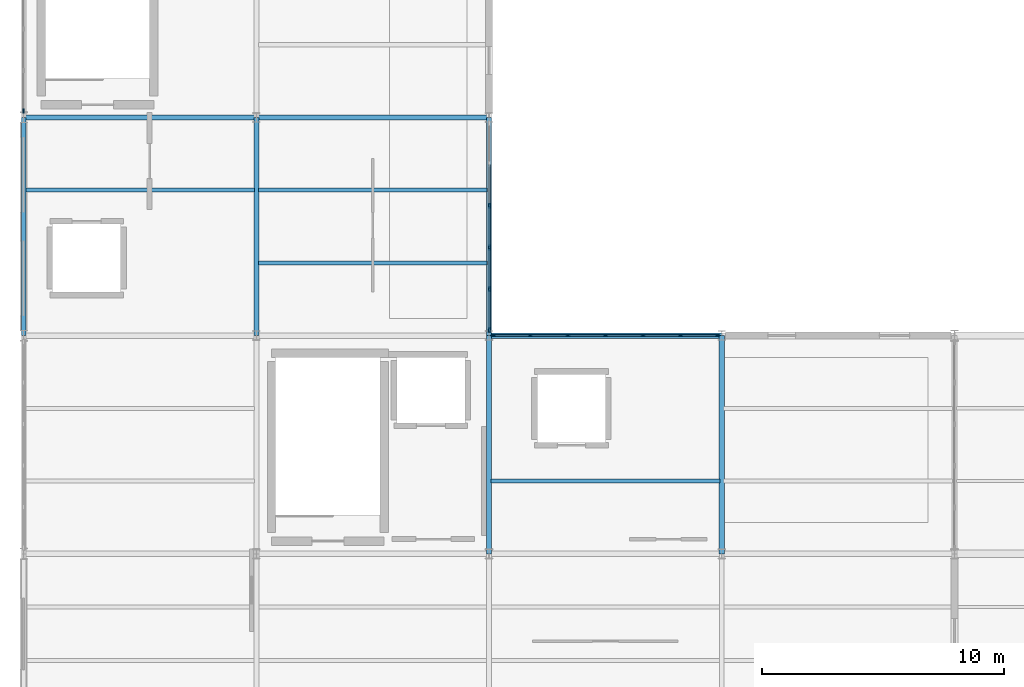
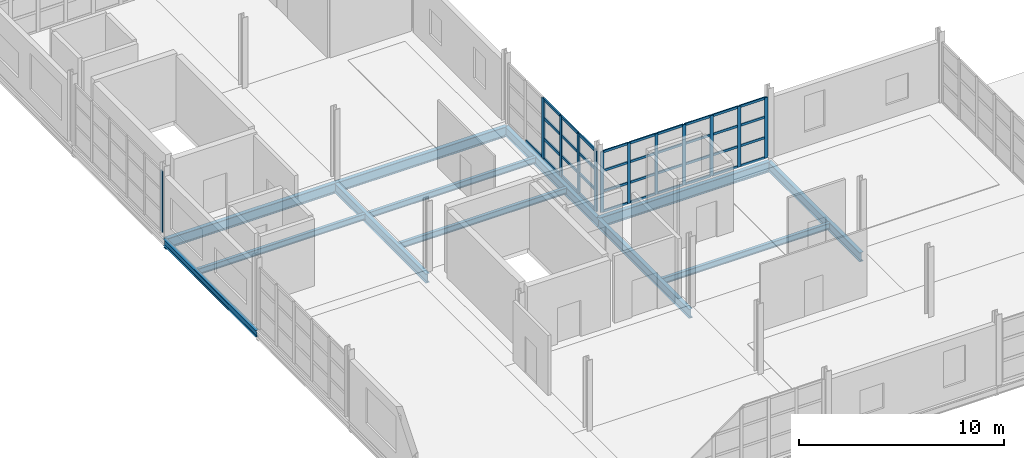
# One storey, part 5 of 15: 49 members, 12 beams, 3 elements without a shape of their own.
"""IFC4 building model written with IfcOpenShell, lengths in metres."""

from ifc_helpers import new_model, si_unit, direction, frame, origin, origin_2d, place, context, subcontext, project, spatial, rectangle, i_section, extrude, material, layer, layer_set, material_profile, profile_set, type_object, element, aggregate, save


model = new_model("IFC4")

# Units and contexts
model_context = context("Model", 3, precision=1e-05, world=origin(), true_north=direction((0.0, 1.0)))
body_context = subcontext(model_context, "Body", "Model", "MODEL_VIEW")
ifc_project = project(units=[si_unit("LENGTHUNIT", "METRE"), si_unit("AREAUNIT", "SQUARE_METRE"), si_unit("VOLUMEUNIT", "CUBIC_METRE"), si_unit("PLANEANGLEUNIT", "RADIAN"), si_unit("MASSUNIT", "GRAM", prefix="KILO")], contexts=[model_context])

# Site, building, storey
site_placement = place(None, origin())
site = spatial("IfcSite", under=ifc_project, at=site_placement, CompositionType="ELEMENT")
building_placement = place(site_placement, origin())
building = spatial("IfcBuilding", under=site, at=building_placement, Name="Zarnetskaya Central Station", CompositionType="ELEMENT")
storey_placement = place(building_placement, frame((0.0, 0.0, 22.800048828125)))
storey = spatial("IfcBuildingStorey", under=building, at=storey_placement, Name="L05", CompositionType="ELEMENT", Elevation=22.800048828125)

# Beams
ifc_material_1 = material(Name="Steel S355", Category="steel")
ifc_material_profile_1 = material_profile(ifc_material_1, i_section(OverallWidth=0.169921875, OverallDepth=0.360107421875, WebThickness=0.008056640625, FlangeThickness=0.0126953125, FilletRadius=0.01806640625, at=origin_2d()), Name="IPE 360")
ifc_profile_set_1 = profile_set([ifc_material_profile_1], Name="Steel S355")
beam_type_1 = type_object("IfcBeamType", Name="BM-SEC-360", PredefinedType="BEAM", material=ifc_profile_set_1)
beam_1_placement = place(storey_placement, frame((0.080078125, 28.199951171875, -0.420166015625), z_axis=(1.0, 0.0, 0.0), x_axis=(0.0, 1.0, 0.0)))
element("IfcBeam", 1, at=beam_1_placement, inside=storey, type_object=beam_type_1, Name="Secondary floor beam SEC-L05-Z2256-AB-45-2", PredefinedType="BEAM", context=body_context, shape_type="SweptSolid", body=[
    extrude(i_section(OverallWidth=0.169921875, OverallDepth=0.360107421875, WebThickness=0.008056640625, FlangeThickness=0.0126953125, FilletRadius=0.01806640625, at=origin_2d()), origin(), (0.0, 0.0, 1.0), 9.43994140625),
])
for number, where, z_axis, x_axis, name in (
    (2, (9.679931640625, 25.199951171875, -0.420166015625), (1.0, 0.0, 0.0), (0.0, 1.0, 0.0), "Secondary floor beam SEC-L05-Z2256-BC-45-1"),
    (3, (9.679931640625, 28.199951171875, -0.420166015625), (1.0, 0.0, 0.0), (0.0, 1.0, 0.0), "Secondary floor beam SEC-L05-Z2256-BC-45-2"),
):
    element("IfcBeam", number, at=place(storey_placement, frame(where, z_axis=z_axis, x_axis=x_axis)), inside=storey, type_object=beam_type_1, Name=name, PredefinedType="BEAM", context=body_context, shape_type="SweptSolid", body=[
        extrude(i_section(OverallWidth=0.169921875, OverallDepth=0.360107421875, WebThickness=0.008056640625, FlangeThickness=0.0126953125, FilletRadius=0.01806640625, at=origin_2d()), origin(), (0.0, 0.0, 1.0), 9.440185546875),
    ])
beam_2_placement = place(storey_placement, frame((19.280029296875, 16.199951171875, -0.420166015625), z_axis=(1.0, 0.0, 0.0), x_axis=(0.0, 1.0, 0.0)))
element("IfcBeam", 4, at=beam_2_placement, inside=storey, type_object=beam_type_1, Name="Secondary floor beam SEC-L05-Z2256-CD-34-1", PredefinedType="BEAM", context=body_context, shape_type="SweptSolid", body=[
    extrude(i_section(OverallWidth=0.169921875, OverallDepth=0.360107421875, WebThickness=0.008056640625, FlangeThickness=0.0126953125, FilletRadius=0.01806640625, at=origin_2d()), origin(), (0.0, 0.0, 1.0), 9.43994140625),
])
ifc_material_profile_2 = material_profile(ifc_material_1, i_section(OverallWidth=0.179931640625, OverallDepth=0.39990234375, WebThickness=0.008544921875, FlangeThickness=0.013427734375, FilletRadius=0.02099609375, at=origin_2d()), Name="IPE 400")
ifc_profile_set_2 = profile_set([ifc_material_profile_2], Name="Steel S355")
beam_type_2 = type_object("IfcBeamType", Name="BM-SPN-V5", PredefinedType="SPANDREL", material=ifc_profile_set_2)
beam_3_placement = place(storey_placement, frame((0.0, 22.199951171875, -0.43994140625), z_axis=(0.0, 1.0, 0.0), x_axis=(-1.0, 0.0, 0.0)))
element("IfcBeam", 5, at=beam_3_placement, inside=storey, type_object=beam_type_2, Name="Grid girder GY-L05-A-45", PredefinedType="SPANDREL", context=body_context, shape_type="SweptSolid", body=[
    extrude(i_section(OverallWidth=0.179931640625, OverallDepth=0.39990234375, WebThickness=0.008544921875, FlangeThickness=0.013427734375, FilletRadius=0.02099609375, at=origin_2d()), origin(), (0.0, 0.0, 1.0), 9.0),
])

# Curtain wall, member
ifc_material_2 = material(Name="Low-E insulated glass", Category="glass")
ifc_layer_1 = layer(ifc_material_2, 0.159912109375, Name="Low-E insulated glass", Category="glass")
ifc_layer_set_1 = layer_set([ifc_layer_1], Name="Low-E insulated glass")
curtain_wall_type_1 = type_object("IfcCurtainWallType", Name="CW-SYS-11", PredefinedType="USERDEFINED", material=ifc_layer_set_1)
curtain_wall_1_placement = place(storey_placement, origin())
curtain_wall_1 = element("IfcCurtainWall", 6, at=curtain_wall_1_placement, inside=storey, type_object=curtain_wall_type_1, Name="Curtain wall CW-L05-065", ObjectType="CURTAIN WALL", PredefinedType="USERDEFINED")
ifc_material_3 = material(Name="Anodised aluminium", Category="aluminium")
ifc_material_profile_3 = material_profile(ifc_material_3, rectangle(XDim=0.070068359375, YDim=0.179931640625, at=origin_2d()), Name="ALU MULL 70x180")
ifc_profile_set_3 = profile_set([ifc_material_profile_3], Name="Anodised aluminium")
member_type_1 = type_object("IfcMemberType", Name="CW-MULL-180", PredefinedType="MULLION", material=ifc_profile_set_3)
member_1_placement = place(storey_placement, frame((0.0, 31.4599609375, 0.0), z_axis=(0.0, 0.0, 1.0), x_axis=(-1.0, 0.0, 0.0)))
member_1 = element("IfcMember", 7, at=member_1_placement, type_object=member_type_1, Name="CW-09 mullion 1", PredefinedType="MULLION", context=body_context, shape_type="SweptSolid", body=[
    extrude(rectangle(XDim=0.070068359375, YDim=0.179931640625, at=origin_2d()), origin(), (0.0, 0.0, 1.0), 3.639892578125),
])
aggregate(curtain_wall_1, [member_1])

# Curtain wall, members
ifc_layer_2 = layer(ifc_material_2, 0.1640625, Name="Low-E insulated glass", Category="glass")
ifc_layer_set_2 = layer_set([ifc_layer_2], Name="Low-E insulated glass")
curtain_wall_type_2 = type_object("IfcCurtainWallType", Name="CW-SYS-07", PredefinedType="USERDEFINED", material=ifc_layer_set_2)
curtain_wall_2_placement = place(storey_placement, origin())
curtain_wall_2 = element("IfcCurtainWall", 8, at=curtain_wall_2_placement, inside=storey, type_object=curtain_wall_type_2, Name="Curtain wall CW-L05-069", ObjectType="CURTAIN WALL", PredefinedType="USERDEFINED")
member_2_placement = place(storey_placement, frame((19.385009765625, 22.199951171875, 0.0), z_axis=(0.0, 0.0, 1.0), x_axis=(0.0, 1.0, 0.0)))
member_2 = element("IfcMember", 9, at=member_2_placement, type_object=member_type_1, Name="CW-06 mullion 1", PredefinedType="MULLION", context=body_context, shape_type="SweptSolid", body=[
    extrude(rectangle(XDim=0.070068359375, YDim=0.179931640625, at=origin_2d()), origin(), (0.0, 0.0, 1.0), 3.599853515625),
])
member_3_placement = place(storey_placement, frame((20.89990234375, 22.199951171875, 0.0), z_axis=(0.0, 0.0, 1.0), x_axis=(0.0, 1.0, 0.0)))
member_3 = element("IfcMember", 10, at=member_3_placement, type_object=member_type_1, Name="CW-06 mullion 2", PredefinedType="MULLION", context=body_context, shape_type="SweptSolid", body=[
    extrude(rectangle(XDim=0.070068359375, YDim=0.179931640625, at=origin_2d()), origin(), (0.0, 0.0, 1.0), 3.599853515625),
])
member_4_placement = place(storey_placement, frame((22.449951171875, 22.199951171875, 0.0), z_axis=(0.0, 0.0, 1.0), x_axis=(0.0, 1.0, 0.0)))
member_4 = element("IfcMember", 11, at=member_4_placement, type_object=member_type_1, Name="CW-06 mullion 3", PredefinedType="MULLION", context=body_context, shape_type="SweptSolid", body=[
    extrude(rectangle(XDim=0.070068359375, YDim=0.179931640625, at=origin_2d()), origin(), (0.0, 0.0, 1.0), 3.599853515625),
])
member_5_placement = place(storey_placement, frame((24.0, 22.199951171875, 0.0), z_axis=(0.0, 0.0, 1.0), x_axis=(0.0, 1.0, 0.0)))
member_5 = element("IfcMember", 12, at=member_5_placement, type_object=member_type_1, Name="CW-06 mullion 4", PredefinedType="MULLION", context=body_context, shape_type="SweptSolid", body=[
    extrude(rectangle(XDim=0.070068359375, YDim=0.179931640625, at=origin_2d()), origin(), (0.0, 0.0, 1.0), 3.599853515625),
])
member_6_placement = place(storey_placement, frame((25.550048828125, 22.199951171875, 0.0), z_axis=(0.0, 0.0, 1.0), x_axis=(0.0, 1.0, 0.0)))
member_6 = element("IfcMember", 13, at=member_6_placement, type_object=member_type_1, Name="CW-06 mullion 5", PredefinedType="MULLION", context=body_context, shape_type="SweptSolid", body=[
    extrude(rectangle(XDim=0.070068359375, YDim=0.179931640625, at=origin_2d()), origin(), (0.0, 0.0, 1.0), 3.599853515625),
])
member_7_placement = place(storey_placement, frame((27.10009765625, 22.199951171875, 0.0), z_axis=(0.0, 0.0, 1.0), x_axis=(0.0, 1.0, 0.0)))
member_7 = element("IfcMember", 14, at=member_7_placement, type_object=member_type_1, Name="CW-06 mullion 6", PredefinedType="MULLION", context=body_context, shape_type="SweptSolid", body=[
    extrude(rectangle(XDim=0.070068359375, YDim=0.179931640625, at=origin_2d()), origin(), (0.0, 0.0, 1.0), 3.599853515625),
])
member_8_placement = place(storey_placement, frame((28.614990234375, 22.199951171875, 0.0), z_axis=(0.0, 0.0, 1.0), x_axis=(0.0, 1.0, 0.0)))
member_8 = element("IfcMember", 15, at=member_8_placement, type_object=member_type_1, Name="CW-06 mullion 7", PredefinedType="MULLION", context=body_context, shape_type="SweptSolid", body=[
    extrude(rectangle(XDim=0.070068359375, YDim=0.179931640625, at=origin_2d()), origin(), (0.0, 0.0, 1.0), 3.599853515625),
])

ifc_layer_3 = layer(ifc_material_2, 0.172119140625, Name="Low-E insulated glass", Category="glass")
ifc_layer_set_3 = layer_set([ifc_layer_3], Name="Low-E insulated glass")
curtain_wall_type_3 = type_object("IfcCurtainWallType", Name="CW-SYS-09", PredefinedType="USERDEFINED", material=ifc_layer_set_3)
curtain_wall_3_placement = place(storey_placement, origin())
curtain_wall_3 = element("IfcCurtainWall", 16, at=curtain_wall_3_placement, inside=storey, type_object=curtain_wall_type_3, Name="Curtain wall CW-L05-068", ObjectType="CURTAIN WALL", PredefinedType="USERDEFINED")
ifc_material_profile_4 = material_profile(ifc_material_3, rectangle(XDim=0.080078125, YDim=0.219970703125, at=origin_2d()), Name="ALU MULL 80x220")
ifc_profile_set_4 = profile_set([ifc_material_profile_4], Name="Anodised aluminium")
member_type_2 = type_object("IfcMemberType", Name="CW-MULL-220", PredefinedType="MULLION", material=ifc_profile_set_4)
member_9_placement = place(storey_placement, frame((19.199951171875, 27.56005859375, 0.0), z_axis=(0.0, 0.0, 1.0), x_axis=(1.0, 0.0, 0.0)))
member_9 = element("IfcMember", 17, at=member_9_placement, type_object=member_type_2, Name="CW-07 mullion 3", PredefinedType="MULLION", context=body_context, shape_type="SweptSolid", body=[
    extrude(rectangle(XDim=0.080078125, YDim=0.219970703125, at=origin_2d()), origin(), (0.0, 0.0, 1.0), 3.599853515625),
])
member_10_placement = place(storey_placement, frame((19.199951171875, 25.840087890625, 0.0), z_axis=(0.0, 0.0, 1.0), x_axis=(1.0, 0.0, 0.0)))
member_10 = element("IfcMember", 18, at=member_10_placement, type_object=member_type_2, Name="CW-07 mullion 4", PredefinedType="MULLION", context=body_context, shape_type="SweptSolid", body=[
    extrude(rectangle(XDim=0.080078125, YDim=0.219970703125, at=origin_2d()), origin(), (0.0, 0.0, 1.0), 3.599853515625),
])
member_11_placement = place(storey_placement, frame((19.199951171875, 24.1201171875, 0.0), z_axis=(0.0, 0.0, 1.0), x_axis=(1.0, 0.0, 0.0)))
member_11 = element("IfcMember", 19, at=member_11_placement, type_object=member_type_2, Name="CW-07 mullion 5", PredefinedType="MULLION", context=body_context, shape_type="SweptSolid", body=[
    extrude(rectangle(XDim=0.080078125, YDim=0.219970703125, at=origin_2d()), origin(), (0.0, 0.0, 1.0), 3.599853515625),
])
member_12_placement = place(storey_placement, frame((19.199951171875, 22.43994140625, 0.0), z_axis=(0.0, 0.0, 1.0), x_axis=(1.0, 0.0, 0.0)))
member_12 = element("IfcMember", 20, at=member_12_placement, type_object=member_type_2, Name="CW-07 mullion 6", PredefinedType="MULLION", context=body_context, shape_type="SweptSolid", body=[
    extrude(rectangle(XDim=0.080078125, YDim=0.219970703125, at=origin_2d()), origin(), (0.0, 0.0, 1.0), 3.599853515625),
])

# Member
ifc_material_profile_5 = material_profile(ifc_material_3, rectangle(XDim=0.070068359375, YDim=0.139892578125, at=origin_2d()), Name="ALU TRAN 70x140")
ifc_profile_set_5 = profile_set([ifc_material_profile_5], Name="Anodised aluminium")
member_type_3 = type_object("IfcMemberType", Name="CW-TRAN-140", PredefinedType="USERDEFINED", material=ifc_profile_set_5)
member_13_placement = place(storey_placement, frame((19.419921875, 22.199951171875, 0.034912109375), z_axis=(1.0, 0.0, 0.0), x_axis=(0.0, 1.0, 0.0)))
member_13 = element("IfcMember", 21, at=member_13_placement, type_object=member_type_3, Name="CW-06 transom 1.1", ObjectType="TRANSOM", PredefinedType="USERDEFINED", context=body_context, shape_type="SweptSolid", body=[
    extrude(rectangle(XDim=0.070068359375, YDim=0.139892578125, at=origin_2d()), origin(), (0.0, 0.0, 1.0), 1.445068359375),
])

member_14_placement = place(storey_placement, frame((19.419921875, 22.199951171875, 1.223876953125), z_axis=(1.0, 0.0, 0.0), x_axis=(0.0, 1.0, 0.0)))
member_14 = element("IfcMember", 22, at=member_14_placement, type_object=member_type_3, Name="CW-06 transom 1.2", ObjectType="TRANSOM", PredefinedType="USERDEFINED", context=body_context, shape_type="SweptSolid", body=[
    extrude(rectangle(XDim=0.070068359375, YDim=0.139892578125, at=origin_2d()), origin(), (0.0, 0.0, 1.0), 1.445068359375),
])

member_15_placement = place(storey_placement, frame((19.419921875, 22.199951171875, 2.447998046875), z_axis=(1.0, 0.0, 0.0), x_axis=(0.0, 1.0, 0.0)))
member_15 = element("IfcMember", 23, at=member_15_placement, type_object=member_type_3, Name="CW-06 transom 1.3", ObjectType="TRANSOM", PredefinedType="USERDEFINED", context=body_context, shape_type="SweptSolid", body=[
    extrude(rectangle(XDim=0.070068359375, YDim=0.139892578125, at=origin_2d()), origin(), (0.0, 0.0, 1.0), 1.445068359375),
])

member_16_placement = place(storey_placement, frame((19.419921875, 22.199951171875, 3.56494140625), z_axis=(1.0, 0.0, 0.0), x_axis=(0.0, 1.0, 0.0)))
member_16 = element("IfcMember", 24, at=member_16_placement, type_object=member_type_3, Name="CW-06 transom 1.4", ObjectType="TRANSOM", PredefinedType="USERDEFINED", context=body_context, shape_type="SweptSolid", body=[
    extrude(rectangle(XDim=0.070068359375, YDim=0.139892578125, at=origin_2d()), origin(), (0.0, 0.0, 1.0), 1.445068359375),
])

member_17_placement = place(storey_placement, frame((20.93505859375, 22.199951171875, 0.034912109375), z_axis=(1.0, 0.0, 0.0), x_axis=(0.0, 1.0, 0.0)))
member_17 = element("IfcMember", 25, at=member_17_placement, type_object=member_type_3, Name="CW-06 transom 2.1", ObjectType="TRANSOM", PredefinedType="USERDEFINED", context=body_context, shape_type="SweptSolid", body=[
    extrude(rectangle(XDim=0.070068359375, YDim=0.139892578125, at=origin_2d()), origin(), (0.0, 0.0, 1.0), 1.47998046875),
])

member_18_placement = place(storey_placement, frame((20.93505859375, 22.199951171875, 1.223876953125), z_axis=(1.0, 0.0, 0.0), x_axis=(0.0, 1.0, 0.0)))
member_18 = element("IfcMember", 26, at=member_18_placement, type_object=member_type_3, Name="CW-06 transom 2.2", ObjectType="TRANSOM", PredefinedType="USERDEFINED", context=body_context, shape_type="SweptSolid", body=[
    extrude(rectangle(XDim=0.070068359375, YDim=0.139892578125, at=origin_2d()), origin(), (0.0, 0.0, 1.0), 1.47998046875),
])

member_19_placement = place(storey_placement, frame((20.93505859375, 22.199951171875, 2.447998046875), z_axis=(1.0, 0.0, 0.0), x_axis=(0.0, 1.0, 0.0)))
member_19 = element("IfcMember", 27, at=member_19_placement, type_object=member_type_3, Name="CW-06 transom 2.3", ObjectType="TRANSOM", PredefinedType="USERDEFINED", context=body_context, shape_type="SweptSolid", body=[
    extrude(rectangle(XDim=0.070068359375, YDim=0.139892578125, at=origin_2d()), origin(), (0.0, 0.0, 1.0), 1.47998046875),
])

member_20_placement = place(storey_placement, frame((20.93505859375, 22.199951171875, 3.56494140625), z_axis=(1.0, 0.0, 0.0), x_axis=(0.0, 1.0, 0.0)))
member_20 = element("IfcMember", 28, at=member_20_placement, type_object=member_type_3, Name="CW-06 transom 2.4", ObjectType="TRANSOM", PredefinedType="USERDEFINED", context=body_context, shape_type="SweptSolid", body=[
    extrude(rectangle(XDim=0.070068359375, YDim=0.139892578125, at=origin_2d()), origin(), (0.0, 0.0, 1.0), 1.47998046875),
])

member_21_placement = place(storey_placement, frame((22.485107421875, 22.199951171875, 0.034912109375), z_axis=(1.0, 0.0, 0.0), x_axis=(0.0, 1.0, 0.0)))
member_21 = element("IfcMember", 29, at=member_21_placement, type_object=member_type_3, Name="CW-06 transom 3.1", ObjectType="TRANSOM", PredefinedType="USERDEFINED", context=body_context, shape_type="SweptSolid", body=[
    extrude(rectangle(XDim=0.070068359375, YDim=0.139892578125, at=origin_2d()), origin(), (0.0, 0.0, 1.0), 1.47998046875),
])

member_22_placement = place(storey_placement, frame((22.485107421875, 22.199951171875, 1.223876953125), z_axis=(1.0, 0.0, 0.0), x_axis=(0.0, 1.0, 0.0)))
member_22 = element("IfcMember", 30, at=member_22_placement, type_object=member_type_3, Name="CW-06 transom 3.2", ObjectType="TRANSOM", PredefinedType="USERDEFINED", context=body_context, shape_type="SweptSolid", body=[
    extrude(rectangle(XDim=0.070068359375, YDim=0.139892578125, at=origin_2d()), origin(), (0.0, 0.0, 1.0), 1.47998046875),
])

member_23_placement = place(storey_placement, frame((22.485107421875, 22.199951171875, 2.447998046875), z_axis=(1.0, 0.0, 0.0), x_axis=(0.0, 1.0, 0.0)))
member_23 = element("IfcMember", 31, at=member_23_placement, type_object=member_type_3, Name="CW-06 transom 3.3", ObjectType="TRANSOM", PredefinedType="USERDEFINED", context=body_context, shape_type="SweptSolid", body=[
    extrude(rectangle(XDim=0.070068359375, YDim=0.139892578125, at=origin_2d()), origin(), (0.0, 0.0, 1.0), 1.47998046875),
])

member_24_placement = place(storey_placement, frame((22.485107421875, 22.199951171875, 3.56494140625), z_axis=(1.0, 0.0, 0.0), x_axis=(0.0, 1.0, 0.0)))
member_24 = element("IfcMember", 32, at=member_24_placement, type_object=member_type_3, Name="CW-06 transom 3.4", ObjectType="TRANSOM", PredefinedType="USERDEFINED", context=body_context, shape_type="SweptSolid", body=[
    extrude(rectangle(XDim=0.070068359375, YDim=0.139892578125, at=origin_2d()), origin(), (0.0, 0.0, 1.0), 1.47998046875),
])

member_25_placement = place(storey_placement, frame((24.034912109375, 22.199951171875, 0.034912109375), z_axis=(1.0, 0.0, 0.0), x_axis=(0.0, 1.0, 0.0)))
member_25 = element("IfcMember", 33, at=member_25_placement, type_object=member_type_3, Name="CW-06 transom 4.1", ObjectType="TRANSOM", PredefinedType="USERDEFINED", context=body_context, shape_type="SweptSolid", body=[
    extrude(rectangle(XDim=0.070068359375, YDim=0.139892578125, at=origin_2d()), origin(), (0.0, 0.0, 1.0), 1.47998046875),
])

member_26_placement = place(storey_placement, frame((24.034912109375, 22.199951171875, 1.223876953125), z_axis=(1.0, 0.0, 0.0), x_axis=(0.0, 1.0, 0.0)))
member_26 = element("IfcMember", 34, at=member_26_placement, type_object=member_type_3, Name="CW-06 transom 4.2", ObjectType="TRANSOM", PredefinedType="USERDEFINED", context=body_context, shape_type="SweptSolid", body=[
    extrude(rectangle(XDim=0.070068359375, YDim=0.139892578125, at=origin_2d()), origin(), (0.0, 0.0, 1.0), 1.47998046875),
])

member_27_placement = place(storey_placement, frame((24.034912109375, 22.199951171875, 2.447998046875), z_axis=(1.0, 0.0, 0.0), x_axis=(0.0, 1.0, 0.0)))
member_27 = element("IfcMember", 35, at=member_27_placement, type_object=member_type_3, Name="CW-06 transom 4.3", ObjectType="TRANSOM", PredefinedType="USERDEFINED", context=body_context, shape_type="SweptSolid", body=[
    extrude(rectangle(XDim=0.070068359375, YDim=0.139892578125, at=origin_2d()), origin(), (0.0, 0.0, 1.0), 1.47998046875),
])

member_28_placement = place(storey_placement, frame((24.034912109375, 22.199951171875, 3.56494140625), z_axis=(1.0, 0.0, 0.0), x_axis=(0.0, 1.0, 0.0)))
member_28 = element("IfcMember", 36, at=member_28_placement, type_object=member_type_3, Name="CW-06 transom 4.4", ObjectType="TRANSOM", PredefinedType="USERDEFINED", context=body_context, shape_type="SweptSolid", body=[
    extrude(rectangle(XDim=0.070068359375, YDim=0.139892578125, at=origin_2d()), origin(), (0.0, 0.0, 1.0), 1.47998046875),
])

member_29_placement = place(storey_placement, frame((25.5849609375, 22.199951171875, 0.034912109375), z_axis=(1.0, 0.0, 0.0), x_axis=(0.0, 1.0, 0.0)))
member_29 = element("IfcMember", 37, at=member_29_placement, type_object=member_type_3, Name="CW-06 transom 5.1", ObjectType="TRANSOM", PredefinedType="USERDEFINED", context=body_context, shape_type="SweptSolid", body=[
    extrude(rectangle(XDim=0.070068359375, YDim=0.139892578125, at=origin_2d()), origin(), (0.0, 0.0, 1.0), 1.47998046875),
])

member_30_placement = place(storey_placement, frame((25.5849609375, 22.199951171875, 1.223876953125), z_axis=(1.0, 0.0, 0.0), x_axis=(0.0, 1.0, 0.0)))
member_30 = element("IfcMember", 38, at=member_30_placement, type_object=member_type_3, Name="CW-06 transom 5.2", ObjectType="TRANSOM", PredefinedType="USERDEFINED", context=body_context, shape_type="SweptSolid", body=[
    extrude(rectangle(XDim=0.070068359375, YDim=0.139892578125, at=origin_2d()), origin(), (0.0, 0.0, 1.0), 1.47998046875),
])

member_31_placement = place(storey_placement, frame((25.5849609375, 22.199951171875, 2.447998046875), z_axis=(1.0, 0.0, 0.0), x_axis=(0.0, 1.0, 0.0)))
member_31 = element("IfcMember", 39, at=member_31_placement, type_object=member_type_3, Name="CW-06 transom 5.3", ObjectType="TRANSOM", PredefinedType="USERDEFINED", context=body_context, shape_type="SweptSolid", body=[
    extrude(rectangle(XDim=0.070068359375, YDim=0.139892578125, at=origin_2d()), origin(), (0.0, 0.0, 1.0), 1.47998046875),
])

member_32_placement = place(storey_placement, frame((25.5849609375, 22.199951171875, 3.56494140625), z_axis=(1.0, 0.0, 0.0), x_axis=(0.0, 1.0, 0.0)))
member_32 = element("IfcMember", 40, at=member_32_placement, type_object=member_type_3, Name="CW-06 transom 5.4", ObjectType="TRANSOM", PredefinedType="USERDEFINED", context=body_context, shape_type="SweptSolid", body=[
    extrude(rectangle(XDim=0.070068359375, YDim=0.139892578125, at=origin_2d()), origin(), (0.0, 0.0, 1.0), 1.47998046875),
])

member_33_placement = place(storey_placement, frame((27.135009765625, 22.199951171875, 0.034912109375), z_axis=(1.0, 0.0, 0.0), x_axis=(0.0, 1.0, 0.0)))
member_33 = element("IfcMember", 41, at=member_33_placement, type_object=member_type_3, Name="CW-06 transom 6.1", ObjectType="TRANSOM", PredefinedType="USERDEFINED", context=body_context, shape_type="SweptSolid", body=[
    extrude(rectangle(XDim=0.070068359375, YDim=0.139892578125, at=origin_2d()), origin(), (0.0, 0.0, 1.0), 1.445068359375),
])

member_34_placement = place(storey_placement, frame((27.135009765625, 22.199951171875, 1.223876953125), z_axis=(1.0, 0.0, 0.0), x_axis=(0.0, 1.0, 0.0)))
member_34 = element("IfcMember", 42, at=member_34_placement, type_object=member_type_3, Name="CW-06 transom 6.2", ObjectType="TRANSOM", PredefinedType="USERDEFINED", context=body_context, shape_type="SweptSolid", body=[
    extrude(rectangle(XDim=0.070068359375, YDim=0.139892578125, at=origin_2d()), origin(), (0.0, 0.0, 1.0), 1.445068359375),
])

member_35_placement = place(storey_placement, frame((27.135009765625, 22.199951171875, 2.447998046875), z_axis=(1.0, 0.0, 0.0), x_axis=(0.0, 1.0, 0.0)))
member_35 = element("IfcMember", 43, at=member_35_placement, type_object=member_type_3, Name="CW-06 transom 6.3", ObjectType="TRANSOM", PredefinedType="USERDEFINED", context=body_context, shape_type="SweptSolid", body=[
    extrude(rectangle(XDim=0.070068359375, YDim=0.139892578125, at=origin_2d()), origin(), (0.0, 0.0, 1.0), 1.445068359375),
])

member_36_placement = place(storey_placement, frame((27.135009765625, 22.199951171875, 3.56494140625), z_axis=(1.0, 0.0, 0.0), x_axis=(0.0, 1.0, 0.0)))
member_36 = element("IfcMember", 44, at=member_36_placement, type_object=member_type_3, Name="CW-06 transom 6.4", ObjectType="TRANSOM", PredefinedType="USERDEFINED", context=body_context, shape_type="SweptSolid", body=[
    extrude(rectangle(XDim=0.070068359375, YDim=0.139892578125, at=origin_2d()), origin(), (0.0, 0.0, 1.0), 1.445068359375),
])

aggregate(curtain_wall_2, [member_2, member_3, member_4, member_5, member_6, member_7, member_8, member_13, member_14, member_15, member_16, member_17, member_18, member_19, member_20, member_21, member_22, member_23, member_24, member_25, member_26, member_27, member_28, member_29, member_30, member_31, member_32, member_33, member_34, member_35, member_36])

ifc_material_profile_6 = material_profile(ifc_material_3, rectangle(XDim=0.080078125, YDim=0.159912109375, at=origin_2d()), Name="ALU TRAN 80x160")
ifc_profile_set_6 = profile_set([ifc_material_profile_6], Name="Anodised aluminium")
member_type_4 = type_object("IfcMemberType", Name="CW-TRAN-160", PredefinedType="USERDEFINED", material=ifc_profile_set_6)
member_37_placement = place(storey_placement, frame((19.199951171875, 29.239990234375, 0.0400390625), z_axis=(0.0, -1.0, 0.0), x_axis=(1.0, 0.0, 0.0)))
member_37 = element("IfcMember", 45, at=member_37_placement, type_object=member_type_4, Name="CW-07 transom 2.1", ObjectType="TRANSOM", PredefinedType="USERDEFINED", context=body_context, shape_type="SweptSolid", body=[
    extrude(rectangle(XDim=0.080078125, YDim=0.159912109375, at=origin_2d()), origin(), (0.0, 0.0, 1.0), 1.639892578125),
])

member_38_placement = place(storey_placement, frame((19.199951171875, 27.52001953125, 0.0400390625), z_axis=(0.0, -1.0, 0.0), x_axis=(1.0, 0.0, 0.0)))
member_38 = element("IfcMember", 46, at=member_38_placement, type_object=member_type_4, Name="CW-07 transom 3.1", ObjectType="TRANSOM", PredefinedType="USERDEFINED", context=body_context, shape_type="SweptSolid", body=[
    extrude(rectangle(XDim=0.080078125, YDim=0.159912109375, at=origin_2d()), origin(), (0.0, 0.0, 1.0), 1.64013671875),
])

member_39_placement = place(storey_placement, frame((19.199951171875, 27.52001953125, 1.223876953125), z_axis=(0.0, -1.0, 0.0), x_axis=(1.0, 0.0, 0.0)))
member_39 = element("IfcMember", 47, at=member_39_placement, type_object=member_type_4, Name="CW-07 transom 3.2", ObjectType="TRANSOM", PredefinedType="USERDEFINED", context=body_context, shape_type="SweptSolid", body=[
    extrude(rectangle(XDim=0.080078125, YDim=0.159912109375, at=origin_2d()), origin(), (0.0, 0.0, 1.0), 1.64013671875),
])

member_40_placement = place(storey_placement, frame((19.199951171875, 27.52001953125, 2.447998046875), z_axis=(0.0, -1.0, 0.0), x_axis=(1.0, 0.0, 0.0)))
member_40 = element("IfcMember", 48, at=member_40_placement, type_object=member_type_4, Name="CW-07 transom 3.3", ObjectType="TRANSOM", PredefinedType="USERDEFINED", context=body_context, shape_type="SweptSolid", body=[
    extrude(rectangle(XDim=0.080078125, YDim=0.159912109375, at=origin_2d()), origin(), (0.0, 0.0, 1.0), 1.64013671875),
])

member_41_placement = place(storey_placement, frame((19.199951171875, 27.52001953125, 3.56005859375), z_axis=(0.0, -1.0, 0.0), x_axis=(1.0, 0.0, 0.0)))
member_41 = element("IfcMember", 49, at=member_41_placement, type_object=member_type_4, Name="CW-07 transom 3.4", ObjectType="TRANSOM", PredefinedType="USERDEFINED", context=body_context, shape_type="SweptSolid", body=[
    extrude(rectangle(XDim=0.080078125, YDim=0.159912109375, at=origin_2d()), origin(), (0.0, 0.0, 1.0), 1.64013671875),
])

member_42_placement = place(storey_placement, frame((19.199951171875, 25.800048828125, 0.0400390625), z_axis=(0.0, -1.0, 0.0), x_axis=(1.0, 0.0, 0.0)))
member_42 = element("IfcMember", 50, at=member_42_placement, type_object=member_type_4, Name="CW-07 transom 4.1", ObjectType="TRANSOM", PredefinedType="USERDEFINED", context=body_context, shape_type="SweptSolid", body=[
    extrude(rectangle(XDim=0.080078125, YDim=0.159912109375, at=origin_2d()), origin(), (0.0, 0.0, 1.0), 1.64013671875),
])

member_43_placement = place(storey_placement, frame((19.199951171875, 25.800048828125, 1.223876953125), z_axis=(0.0, -1.0, 0.0), x_axis=(1.0, 0.0, 0.0)))
member_43 = element("IfcMember", 51, at=member_43_placement, type_object=member_type_4, Name="CW-07 transom 4.2", ObjectType="TRANSOM", PredefinedType="USERDEFINED", context=body_context, shape_type="SweptSolid", body=[
    extrude(rectangle(XDim=0.080078125, YDim=0.159912109375, at=origin_2d()), origin(), (0.0, 0.0, 1.0), 1.64013671875),
])

member_44_placement = place(storey_placement, frame((19.199951171875, 25.800048828125, 2.447998046875), z_axis=(0.0, -1.0, 0.0), x_axis=(1.0, 0.0, 0.0)))
member_44 = element("IfcMember", 52, at=member_44_placement, type_object=member_type_4, Name="CW-07 transom 4.3", ObjectType="TRANSOM", PredefinedType="USERDEFINED", context=body_context, shape_type="SweptSolid", body=[
    extrude(rectangle(XDim=0.080078125, YDim=0.159912109375, at=origin_2d()), origin(), (0.0, 0.0, 1.0), 1.64013671875),
])

member_45_placement = place(storey_placement, frame((19.199951171875, 25.800048828125, 3.56005859375), z_axis=(0.0, -1.0, 0.0), x_axis=(1.0, 0.0, 0.0)))
member_45 = element("IfcMember", 53, at=member_45_placement, type_object=member_type_4, Name="CW-07 transom 4.4", ObjectType="TRANSOM", PredefinedType="USERDEFINED", context=body_context, shape_type="SweptSolid", body=[
    extrude(rectangle(XDim=0.080078125, YDim=0.159912109375, at=origin_2d()), origin(), (0.0, 0.0, 1.0), 1.64013671875),
])

member_46_placement = place(storey_placement, frame((19.199951171875, 24.080078125, 0.0400390625), z_axis=(0.0, -1.0, 0.0), x_axis=(1.0, 0.0, 0.0)))
member_46 = element("IfcMember", 54, at=member_46_placement, type_object=member_type_4, Name="CW-07 transom 5.1", ObjectType="TRANSOM", PredefinedType="USERDEFINED", context=body_context, shape_type="SweptSolid", body=[
    extrude(rectangle(XDim=0.080078125, YDim=0.159912109375, at=origin_2d()), origin(), (0.0, 0.0, 1.0), 1.60009765625),
])

member_47_placement = place(storey_placement, frame((19.199951171875, 24.080078125, 1.223876953125), z_axis=(0.0, -1.0, 0.0), x_axis=(1.0, 0.0, 0.0)))
member_47 = element("IfcMember", 55, at=member_47_placement, type_object=member_type_4, Name="CW-07 transom 5.2", ObjectType="TRANSOM", PredefinedType="USERDEFINED", context=body_context, shape_type="SweptSolid", body=[
    extrude(rectangle(XDim=0.080078125, YDim=0.159912109375, at=origin_2d()), origin(), (0.0, 0.0, 1.0), 1.60009765625),
])

member_48_placement = place(storey_placement, frame((19.199951171875, 24.080078125, 2.447998046875), z_axis=(0.0, -1.0, 0.0), x_axis=(1.0, 0.0, 0.0)))
member_48 = element("IfcMember", 56, at=member_48_placement, type_object=member_type_4, Name="CW-07 transom 5.3", ObjectType="TRANSOM", PredefinedType="USERDEFINED", context=body_context, shape_type="SweptSolid", body=[
    extrude(rectangle(XDim=0.080078125, YDim=0.159912109375, at=origin_2d()), origin(), (0.0, 0.0, 1.0), 1.60009765625),
])

member_49_placement = place(storey_placement, frame((19.199951171875, 24.080078125, 3.56005859375), z_axis=(0.0, -1.0, 0.0), x_axis=(1.0, 0.0, 0.0)))
member_49 = element("IfcMember", 57, at=member_49_placement, type_object=member_type_4, Name="CW-07 transom 5.4", ObjectType="TRANSOM", PredefinedType="USERDEFINED", context=body_context, shape_type="SweptSolid", body=[
    extrude(rectangle(XDim=0.080078125, YDim=0.159912109375, at=origin_2d()), origin(), (0.0, 0.0, 1.0), 1.60009765625),
])

aggregate(curtain_wall_3, [member_9, member_10, member_11, member_12, member_37, member_38, member_39, member_40, member_41, member_42, member_43, member_44, member_45, member_46, member_47, member_48, member_49])

# Beams
ifc_material_profile_7 = material_profile(ifc_material_1, i_section(OverallWidth=0.2099609375, OverallDepth=0.550048828125, WebThickness=0.010986328125, FlangeThickness=0.01708984375, FilletRadius=0.02392578125, at=origin_2d()), Name="IPE 550")
ifc_profile_set_7 = profile_set([ifc_material_profile_7], Name="Steel S355")
beam_type_3 = type_object("IfcBeamType", Name="GD-FLR-550", PredefinedType="USERDEFINED", material=ifc_profile_set_7)
for number, where, z_axis, x_axis, name in (
    (58, (9.60009765625, 22.199951171875, -0.51513671875), (0.0, 1.0, 0.0), (-1.0, 0.0, 0.0), "Grid girder GY-L05-B-45"),
    (59, (19.199951171875, 13.199951171875, -0.51513671875), (0.0, 1.0, 0.0), (-1.0, 0.0, 0.0), "Grid girder GY-L05-C-34"),
    (60, (19.199951171875, 22.199951171875, -0.51513671875), (0.0, 1.0, 0.0), (-1.0, 0.0, 0.0), "Grid girder GY-L05-C-45"),
    (61, (28.800048828125, 13.199951171875, -0.51513671875), (0.0, 1.0, 0.0), (-1.0, 0.0, 0.0), "Grid girder GY-L05-D-34"),
):
    element("IfcBeam", number, at=place(storey_placement, frame(where, z_axis=z_axis, x_axis=x_axis)), inside=storey, type_object=beam_type_3, Name=name, ObjectType="GIRDER", PredefinedType="USERDEFINED", context=body_context, shape_type="SweptSolid", body=[
        extrude(i_section(OverallWidth=0.2099609375, OverallDepth=0.550048828125, WebThickness=0.010986328125, FlangeThickness=0.01708984375, FilletRadius=0.02392578125, at=origin_2d()), origin(), (0.0, 0.0, 1.0), 9.0),
    ])
ifc_material_profile_8 = material_profile(ifc_material_1, i_section(OverallWidth=0.219970703125, OverallDepth=0.60009765625, WebThickness=0.011962890625, FlangeThickness=0.01904296875, FilletRadius=0.02392578125, at=origin_2d()), Name="IPE 600")
ifc_profile_set_8 = profile_set([ifc_material_profile_8], Name="Steel S355")
beam_type_4 = type_object("IfcBeamType", Name="GD-FLR-600", PredefinedType="USERDEFINED", material=ifc_profile_set_8)
beam_4_placement = place(storey_placement, frame((0.0, 31.199951171875, -0.5400390625), z_axis=(1.0, 0.0, 0.0), x_axis=(0.0, 1.0, 0.0)))
element("IfcBeam", 62, at=beam_4_placement, inside=storey, type_object=beam_type_4, Name="Grid girder GX-L05-5-AB", ObjectType="GIRDER", PredefinedType="USERDEFINED", context=body_context, shape_type="SweptSolid", body=[
    extrude(i_section(OverallWidth=0.219970703125, OverallDepth=0.60009765625, WebThickness=0.011962890625, FlangeThickness=0.01904296875, FilletRadius=0.02392578125, at=origin_2d()), origin(), (0.0, 0.0, 1.0), 9.60009765625),
])
beam_5_placement = place(storey_placement, frame((9.60009765625, 31.199951171875, -0.5400390625), z_axis=(1.0, 0.0, 0.0), x_axis=(0.0, 1.0, 0.0)))
element("IfcBeam", 63, at=beam_5_placement, inside=storey, type_object=beam_type_4, Name="Grid girder GX-L05-5-BC", ObjectType="GIRDER", PredefinedType="USERDEFINED", context=body_context, shape_type="SweptSolid", body=[
    extrude(i_section(OverallWidth=0.219970703125, OverallDepth=0.60009765625, WebThickness=0.011962890625, FlangeThickness=0.01904296875, FilletRadius=0.02392578125, at=origin_2d()), origin(), (0.0, 0.0, 1.0), 9.599853515625),
])
beam_6_placement = place(storey_placement, frame((19.199951171875, 22.199951171875, -0.5400390625), z_axis=(1.0, 0.0, 0.0), x_axis=(0.0, 1.0, 0.0)))
element("IfcBeam", 64, at=beam_6_placement, inside=storey, type_object=beam_type_4, Name="Grid girder GX-L05-4-CD", ObjectType="GIRDER", PredefinedType="USERDEFINED", context=body_context, shape_type="SweptSolid", body=[
    extrude(i_section(OverallWidth=0.219970703125, OverallDepth=0.60009765625, WebThickness=0.011962890625, FlangeThickness=0.01904296875, FilletRadius=0.02392578125, at=origin_2d()), origin(), (0.0, 0.0, 1.0), 9.60009765625),
])

save(model, "model.ifc")
